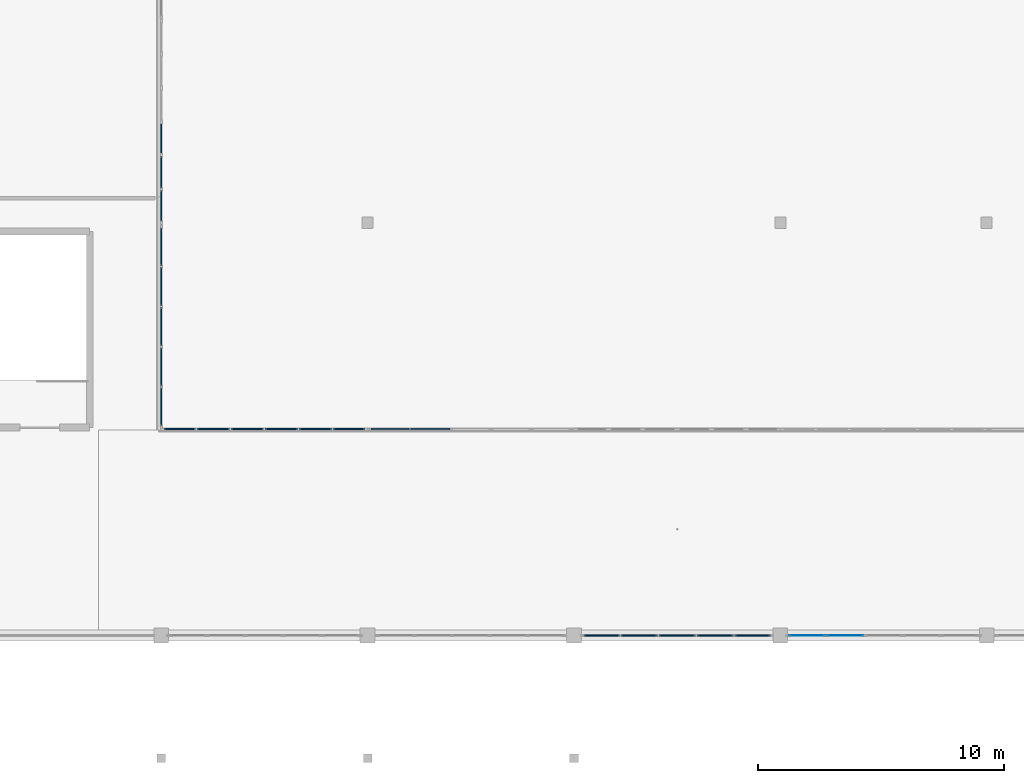
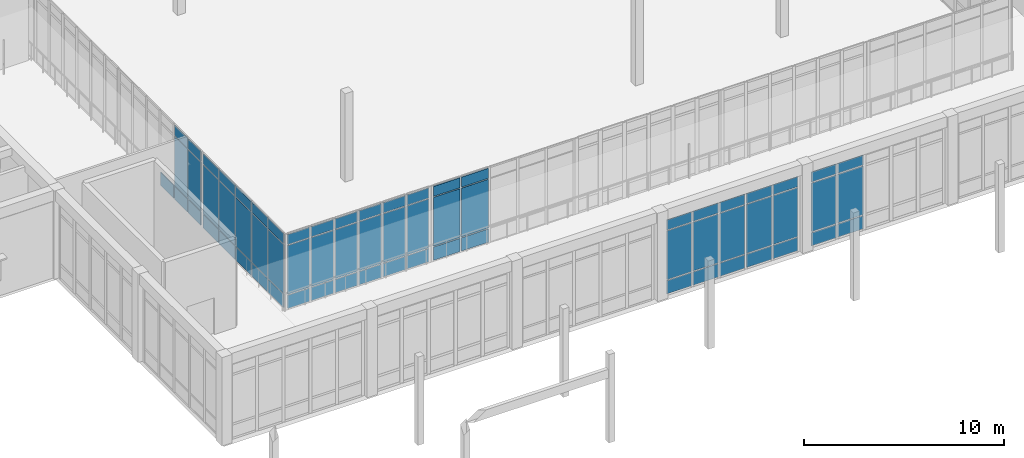
# One storey, part 58 of 157: 67 plates, 6 elements without a shape of their own.
"""IFC4 building model written with IfcOpenShell, lengths in metres."""

from ifc_helpers import new_model, si_unit, direction, frame, origin, origin_2d, place, context, subcontext, project, spatial, rectangle, extrude, material, layer, layer_set, type_object, element, aggregate, save


model = new_model("IFC4")

# Units and contexts
model_context = context("Model", 3, precision=1e-05, world=origin(), true_north=direction((0.0, 1.0)))
body_context = subcontext(model_context, "Body", "Model", "MODEL_VIEW")
ifc_project = project(units=[si_unit("LENGTHUNIT", "METRE"), si_unit("AREAUNIT", "SQUARE_METRE"), si_unit("VOLUMEUNIT", "CUBIC_METRE"), si_unit("PLANEANGLEUNIT", "RADIAN"), si_unit("MASSUNIT", "GRAM", prefix="KILO")], contexts=[model_context])

# Site, building, storey
site_placement = place(None, origin())
site = spatial("IfcSite", under=ifc_project, at=site_placement, CompositionType="ELEMENT")
building_placement = place(site_placement, origin())
building = spatial("IfcBuilding", under=site, at=building_placement, Name="Varncliffe General Hospital", CompositionType="ELEMENT")
storey_placement = place(building_placement, frame((0.0, 0.0, 5.39990234375)))
storey = spatial("IfcBuildingStorey", under=building, at=storey_placement, Name="L01", CompositionType="ELEMENT", Elevation=5.39990234375)

# Curtain wall, plates
ifc_material_1 = material(Name="Triple low-E argon insulated vision glazing", Category="glass")
curtain_wall_type_1 = type_object("IfcCurtainWallType", Name="Unitised Glazed Curtain Wall CW70 (7724x4640)", PredefinedType="USERDEFINED", material=ifc_material_1)
curtain_wall_1_placement = place(storey_placement, origin())
curtain_wall_1 = element("IfcCurtainWall", 1, at=curtain_wall_1_placement, inside=storey, type_object=curtain_wall_type_1, Name="L01 Glazed Curtain Wall CW70-49", ObjectType="GLAZED CURTAIN WALL", PredefinedType="USERDEFINED")
ifc_layer_1 = layer(ifc_material_1, 0.0439453125)
ifc_layer_set_1 = layer_set([ifc_layer_1], Name="Triple low-E argon insulated vision glazing")
plate_type_1 = type_object("IfcPlateType", Name="Curtain Wall Glazing Panel CP12 (44mm)", PredefinedType="CURTAIN_PANEL", material=ifc_layer_set_1)
plate_1_placement = place(storey_placement, frame((91.270751953125, 7.199951171875, 0.06005859375), z_axis=(0.0, 0.0, 1.0), x_axis=(-1.0, 0.0, 0.0)))
plate_1 = element("IfcPlate", 2, at=plate_1_placement, type_object=plate_type_1, Name="CW70 panel 1.1", PredefinedType="CURTAIN_PANEL", context=body_context, shape_type="SweptSolid", body=[
    extrude(rectangle(XDim=1.432373046875, YDim=0.0439453125, at=origin_2d()), origin(), (0.0, 0.0, 1.0), 0.81005859375),
])
plate_2_placement = place(storey_placement, frame((91.270751953125, 7.199951171875, 0.93017578125), z_axis=(0.0, 0.0, 1.0), x_axis=(-1.0, 0.0, 0.0)))
plate_2 = element("IfcPlate", 3, at=plate_2_placement, type_object=plate_type_1, Name="CW70 panel 1.2", PredefinedType="CURTAIN_PANEL", context=body_context, shape_type="SweptSolid", body=[
    extrude(rectangle(XDim=1.432373046875, YDim=0.0439453125, at=origin_2d()), origin(), (0.0, 0.0, 1.0), 2.97998046875),
])
plate_3_placement = place(storey_placement, frame((91.270751953125, 7.199951171875, 3.97021484375), z_axis=(0.0, 0.0, 1.0), x_axis=(-1.0, 0.0, 0.0)))
plate_3 = element("IfcPlate", 4, at=plate_3_placement, type_object=plate_type_1, Name="CW70 panel 1.3", PredefinedType="CURTAIN_PANEL", context=body_context, shape_type="SweptSolid", body=[
    extrude(rectangle(XDim=1.432373046875, YDim=0.0439453125, at=origin_2d()), origin(), (0.0, 0.0, 1.0), 0.610107421875),
])
plate_4_placement = place(storey_placement, frame((89.744873046875, 7.199951171875, 0.06005859375), z_axis=(0.0, 0.0, 1.0), x_axis=(-1.0, 0.0, 0.0)))
plate_4 = element("IfcPlate", 5, at=plate_4_placement, type_object=plate_type_1, Name="CW70 panel 2.1", PredefinedType="CURTAIN_PANEL", context=body_context, shape_type="SweptSolid", body=[
    extrude(rectangle(XDim=1.4697265625, YDim=0.0439453125, at=origin_2d()), origin(), (0.0, 0.0, 1.0), 0.81005859375),
])
plate_5_placement = place(storey_placement, frame((89.744873046875, 7.199951171875, 0.93017578125), z_axis=(0.0, 0.0, 1.0), x_axis=(-1.0, 0.0, 0.0)))
plate_5 = element("IfcPlate", 6, at=plate_5_placement, type_object=plate_type_1, Name="CW70 panel 2.2", PredefinedType="CURTAIN_PANEL", context=body_context, shape_type="SweptSolid", body=[
    extrude(rectangle(XDim=1.4697265625, YDim=0.0439453125, at=origin_2d()), origin(), (0.0, 0.0, 1.0), 2.97998046875),
])
plate_6_placement = place(storey_placement, frame((89.744873046875, 7.199951171875, 3.97021484375), z_axis=(0.0, 0.0, 1.0), x_axis=(-1.0, 0.0, 0.0)))
plate_6 = element("IfcPlate", 7, at=plate_6_placement, type_object=plate_type_1, Name="CW70 panel 2.3", PredefinedType="CURTAIN_PANEL", context=body_context, shape_type="SweptSolid", body=[
    extrude(rectangle(XDim=1.4697265625, YDim=0.0439453125, at=origin_2d()), origin(), (0.0, 0.0, 1.0), 0.610107421875),
])
plate_7_placement = place(storey_placement, frame((88.199951171875, 7.199951171875, 0.06005859375), z_axis=(0.0, 0.0, 1.0), x_axis=(-1.0, 0.0, 0.0)))
plate_7 = element("IfcPlate", 8, at=plate_7_placement, type_object=plate_type_1, Name="CW70 panel 3.1", PredefinedType="CURTAIN_PANEL", context=body_context, shape_type="SweptSolid", body=[
    extrude(rectangle(XDim=1.4697265625, YDim=0.0439453125, at=origin_2d()), origin(), (0.0, 0.0, 1.0), 0.81005859375),
])
plate_8_placement = place(storey_placement, frame((88.199951171875, 7.199951171875, 0.93017578125), z_axis=(0.0, 0.0, 1.0), x_axis=(-1.0, 0.0, 0.0)))
plate_8 = element("IfcPlate", 9, at=plate_8_placement, type_object=plate_type_1, Name="CW70 panel 3.2", PredefinedType="CURTAIN_PANEL", context=body_context, shape_type="SweptSolid", body=[
    extrude(rectangle(XDim=1.4697265625, YDim=0.0439453125, at=origin_2d()), origin(), (0.0, 0.0, 1.0), 2.97998046875),
])
plate_9_placement = place(storey_placement, frame((88.199951171875, 7.199951171875, 3.97021484375), z_axis=(0.0, 0.0, 1.0), x_axis=(-1.0, 0.0, 0.0)))
plate_9 = element("IfcPlate", 10, at=plate_9_placement, type_object=plate_type_1, Name="CW70 panel 3.3", PredefinedType="CURTAIN_PANEL", context=body_context, shape_type="SweptSolid", body=[
    extrude(rectangle(XDim=1.4697265625, YDim=0.0439453125, at=origin_2d()), origin(), (0.0, 0.0, 1.0), 0.610107421875),
])
plate_10_placement = place(storey_placement, frame((86.6552734375, 7.199951171875, 0.06005859375), z_axis=(0.0, 0.0, 1.0), x_axis=(-1.0, 0.0, 0.0)))
plate_10 = element("IfcPlate", 11, at=plate_10_placement, type_object=plate_type_1, Name="CW70 panel 4.1", PredefinedType="CURTAIN_PANEL", context=body_context, shape_type="SweptSolid", body=[
    extrude(rectangle(XDim=1.4697265625, YDim=0.0439453125, at=origin_2d()), origin(), (0.0, 0.0, 1.0), 0.81005859375),
])
plate_11_placement = place(storey_placement, frame((86.6552734375, 7.199951171875, 0.93017578125), z_axis=(0.0, 0.0, 1.0), x_axis=(-1.0, 0.0, 0.0)))
plate_11 = element("IfcPlate", 12, at=plate_11_placement, type_object=plate_type_1, Name="CW70 panel 4.2", PredefinedType="CURTAIN_PANEL", context=body_context, shape_type="SweptSolid", body=[
    extrude(rectangle(XDim=1.4697265625, YDim=0.0439453125, at=origin_2d()), origin(), (0.0, 0.0, 1.0), 2.97998046875),
])
plate_12_placement = place(storey_placement, frame((86.6552734375, 7.199951171875, 3.97021484375), z_axis=(0.0, 0.0, 1.0), x_axis=(-1.0, 0.0, 0.0)))
plate_12 = element("IfcPlate", 13, at=plate_12_placement, type_object=plate_type_1, Name="CW70 panel 4.3", PredefinedType="CURTAIN_PANEL", context=body_context, shape_type="SweptSolid", body=[
    extrude(rectangle(XDim=1.4697265625, YDim=0.0439453125, at=origin_2d()), origin(), (0.0, 0.0, 1.0), 0.610107421875),
])
plate_13_placement = place(storey_placement, frame((85.129150390625, 7.199951171875, 0.06005859375), z_axis=(0.0, 0.0, 1.0), x_axis=(-1.0, 0.0, 0.0)))
plate_13 = element("IfcPlate", 14, at=plate_13_placement, type_object=plate_type_1, Name="CW70 panel 5.1", PredefinedType="CURTAIN_PANEL", context=body_context, shape_type="SweptSolid", body=[
    extrude(rectangle(XDim=1.432373046875, YDim=0.0439453125, at=origin_2d()), origin(), (0.0, 0.0, 1.0), 0.81005859375),
])
plate_14_placement = place(storey_placement, frame((85.129150390625, 7.199951171875, 0.93017578125), z_axis=(0.0, 0.0, 1.0), x_axis=(-1.0, 0.0, 0.0)))
plate_14 = element("IfcPlate", 15, at=plate_14_placement, type_object=plate_type_1, Name="CW70 panel 5.2", PredefinedType="CURTAIN_PANEL", context=body_context, shape_type="SweptSolid", body=[
    extrude(rectangle(XDim=1.432373046875, YDim=0.0439453125, at=origin_2d()), origin(), (0.0, 0.0, 1.0), 2.97998046875),
])
plate_15_placement = place(storey_placement, frame((85.129150390625, 7.199951171875, 3.97021484375), z_axis=(0.0, 0.0, 1.0), x_axis=(-1.0, 0.0, 0.0)))
plate_15 = element("IfcPlate", 16, at=plate_15_placement, type_object=plate_type_1, Name="CW70 panel 5.3", PredefinedType="CURTAIN_PANEL", context=body_context, shape_type="SweptSolid", body=[
    extrude(rectangle(XDim=1.432373046875, YDim=0.0439453125, at=origin_2d()), origin(), (0.0, 0.0, 1.0), 0.610107421875),
])
aggregate(curtain_wall_1, [plate_1, plate_2, plate_3, plate_4, plate_5, plate_6, plate_7, plate_8, plate_9, plate_10, plate_11, plate_12, plate_13, plate_14, plate_15])

curtain_wall_type_2 = type_object("IfcCurtainWallType", Name="Unitised Glazed Curtain Wall CW14 (8260x4640)", PredefinedType="USERDEFINED", material=ifc_material_1)
curtain_wall_2_placement = place(storey_placement, origin())
curtain_wall_2 = element("IfcCurtainWall", 17, at=curtain_wall_2_placement, inside=storey, type_object=curtain_wall_type_2, Name="L01 Glazed Curtain Wall CW14-109", ObjectType="GLAZED CURTAIN WALL", PredefinedType="USERDEFINED")
plate_16_placement = place(storey_placement, frame((67.199951171875, 27.422119140625, 0.06005859375), z_axis=(0.0, 0.0, 1.0), x_axis=(0.0, -1.0, 0.0)))
plate_16 = element("IfcPlate", 18, at=plate_16_placement, type_object=plate_type_1, Name="CW14 panel 4.1", PredefinedType="CURTAIN_PANEL", context=body_context, shape_type="SweptSolid", body=[
    extrude(rectangle(XDim=1.3017578125, YDim=0.0439453125, at=origin_2d()), origin(), (0.0, 0.0, 1.0), 0.81005859375),
])
plate_17_placement = place(storey_placement, frame((67.199951171875, 26.04541015625, 0.06005859375), z_axis=(0.0, 0.0, 1.0), x_axis=(0.0, -1.0, 0.0)))
plate_17 = element("IfcPlate", 19, at=plate_17_placement, type_object=plate_type_1, Name="CW14 panel 5.1", PredefinedType="CURTAIN_PANEL", context=body_context, shape_type="SweptSolid", body=[
    extrude(rectangle(XDim=1.3017578125, YDim=0.0439453125, at=origin_2d()), origin(), (0.0, 0.0, 1.0), 0.81005859375),
])
plate_18_placement = place(storey_placement, frame((67.199951171875, 26.04541015625, 0.93017578125), z_axis=(0.0, 0.0, 1.0), x_axis=(0.0, -1.0, 0.0)))
plate_18 = element("IfcPlate", 20, at=plate_18_placement, type_object=plate_type_1, Name="CW14 panel 5.2", PredefinedType="CURTAIN_PANEL", context=body_context, shape_type="SweptSolid", body=[
    extrude(rectangle(XDim=1.3017578125, YDim=0.0439453125, at=origin_2d()), origin(), (0.0, 0.0, 1.0), 2.97998046875),
])
plate_19_placement = place(storey_placement, frame((67.199951171875, 26.04541015625, 3.97021484375), z_axis=(0.0, 0.0, 1.0), x_axis=(0.0, -1.0, 0.0)))
plate_19 = element("IfcPlate", 21, at=plate_19_placement, type_object=plate_type_1, Name="CW14 panel 5.3", PredefinedType="CURTAIN_PANEL", context=body_context, shape_type="SweptSolid", body=[
    extrude(rectangle(XDim=1.3017578125, YDim=0.0439453125, at=origin_2d()), origin(), (0.0, 0.0, 1.0), 0.610107421875),
])
plate_20_placement = place(storey_placement, frame((67.199951171875, 24.6875, 0.06005859375), z_axis=(0.0, 0.0, 1.0), x_axis=(0.0, -1.0, 0.0)))
plate_20 = element("IfcPlate", 22, at=plate_20_placement, type_object=plate_type_1, Name="CW14 panel 6.1", PredefinedType="CURTAIN_PANEL", context=body_context, shape_type="SweptSolid", body=[
    extrude(rectangle(XDim=1.26416015625, YDim=0.0439453125, at=origin_2d()), origin(), (0.0, 0.0, 1.0), 0.81005859375),
])
plate_21_placement = place(storey_placement, frame((67.199951171875, 24.6875, 0.93017578125), z_axis=(0.0, 0.0, 1.0), x_axis=(0.0, -1.0, 0.0)))
plate_21 = element("IfcPlate", 23, at=plate_21_placement, type_object=plate_type_1, Name="CW14 panel 6.2", PredefinedType="CURTAIN_PANEL", context=body_context, shape_type="SweptSolid", body=[
    extrude(rectangle(XDim=1.26416015625, YDim=0.0439453125, at=origin_2d()), origin(), (0.0, 0.0, 1.0), 2.97998046875),
])
plate_22_placement = place(storey_placement, frame((67.199951171875, 24.6875, 3.97021484375), z_axis=(0.0, 0.0, 1.0), x_axis=(0.0, -1.0, 0.0)))
plate_22 = element("IfcPlate", 24, at=plate_22_placement, type_object=plate_type_1, Name="CW14 panel 6.3", PredefinedType="CURTAIN_PANEL", context=body_context, shape_type="SweptSolid", body=[
    extrude(rectangle(XDim=1.26416015625, YDim=0.0439453125, at=origin_2d()), origin(), (0.0, 0.0, 1.0), 0.610107421875),
])
aggregate(curtain_wall_2, [plate_16, plate_17, plate_18, plate_19, plate_20, plate_21, plate_22])

curtain_wall_type_3 = type_object("IfcCurtainWallType", Name="Unitised Glazed Curtain Wall CW85 (7804x4640)", PredefinedType="USERDEFINED", material=ifc_material_1)
curtain_wall_3_placement = place(storey_placement, origin())
curtain_wall_3 = element("IfcCurtainWall", 25, at=curtain_wall_3_placement, inside=storey, type_object=curtain_wall_type_3, Name="L01 Glazed Curtain Wall CW85-48", ObjectType="GLAZED CURTAIN WALL", PredefinedType="USERDEFINED")
ifc_layer_2 = layer(ifc_material_1, 0.035888671875)
ifc_layer_set_2 = layer_set([ifc_layer_2], Name="Triple low-E argon insulated vision glazing")
plate_type_2 = type_object("IfcPlateType", Name="Curtain Wall Glazing Panel CP27 (36mm)", PredefinedType="CURTAIN_PANEL", material=ifc_layer_set_2)
plate_23_placement = place(storey_placement, frame((95.039306640625, 7.199951171875, 0.06494140625), z_axis=(0.0, 0.0, 1.0), x_axis=(-1.0, 0.0, 0.0)))
plate_23 = element("IfcPlate", 26, at=plate_23_placement, type_object=plate_type_2, Name="CW85 panel 4.1", PredefinedType="CURTAIN_PANEL", context=body_context, shape_type="SweptSolid", body=[
    extrude(rectangle(XDim=1.48583984375, YDim=0.035888671875, at=origin_2d()), origin(), (0.0, 0.0, 1.0), 0.802490234375),
])
plate_24_placement = place(storey_placement, frame((95.039306640625, 7.199951171875, 0.9326171875), z_axis=(0.0, 0.0, 1.0), x_axis=(-1.0, 0.0, 0.0)))
plate_24 = element("IfcPlate", 27, at=plate_24_placement, type_object=plate_type_2, Name="CW85 panel 4.2", PredefinedType="CURTAIN_PANEL", context=body_context, shape_type="SweptSolid", body=[
    extrude(rectangle(XDim=1.48583984375, YDim=0.035888671875, at=origin_2d()), origin(), (0.0, 0.0, 1.0), 2.97509765625),
])
plate_25_placement = place(storey_placement, frame((95.039306640625, 7.199951171875, 3.97265625), z_axis=(0.0, 0.0, 1.0), x_axis=(-1.0, 0.0, 0.0)))
plate_25 = element("IfcPlate", 28, at=plate_25_placement, type_object=plate_type_2, Name="CW85 panel 4.3", PredefinedType="CURTAIN_PANEL", context=body_context, shape_type="SweptSolid", body=[
    extrude(rectangle(XDim=1.48583984375, YDim=0.035888671875, at=origin_2d()), origin(), (0.0, 0.0, 1.0), 0.6025390625),
])
plate_26_placement = place(storey_placement, frame((93.4970703125, 7.199951171875, 0.06494140625), z_axis=(0.0, 0.0, 1.0), x_axis=(-1.0, 0.0, 0.0)))
plate_26 = element("IfcPlate", 29, at=plate_26_placement, type_object=plate_type_2, Name="CW85 panel 5.1", PredefinedType="CURTAIN_PANEL", context=body_context, shape_type="SweptSolid", body=[
    extrude(rectangle(XDim=1.4482421875, YDim=0.035888671875, at=origin_2d()), origin(), (0.0, 0.0, 1.0), 0.802490234375),
])
plate_27_placement = place(storey_placement, frame((93.4970703125, 7.199951171875, 0.9326171875), z_axis=(0.0, 0.0, 1.0), x_axis=(-1.0, 0.0, 0.0)))
plate_27 = element("IfcPlate", 30, at=plate_27_placement, type_object=plate_type_2, Name="CW85 panel 5.2", PredefinedType="CURTAIN_PANEL", context=body_context, shape_type="SweptSolid", body=[
    extrude(rectangle(XDim=1.4482421875, YDim=0.035888671875, at=origin_2d()), origin(), (0.0, 0.0, 1.0), 2.97509765625),
])
plate_28_placement = place(storey_placement, frame((93.4970703125, 7.199951171875, 3.97265625), z_axis=(0.0, 0.0, 1.0), x_axis=(-1.0, 0.0, 0.0)))
plate_28 = element("IfcPlate", 31, at=plate_28_placement, type_object=plate_type_2, Name="CW85 panel 5.3", PredefinedType="CURTAIN_PANEL", context=body_context, shape_type="SweptSolid", body=[
    extrude(rectangle(XDim=1.4482421875, YDim=0.035888671875, at=origin_2d()), origin(), (0.0, 0.0, 1.0), 0.6025390625),
])
aggregate(curtain_wall_3, [plate_23, plate_24, plate_25, plate_26, plate_27, plate_28])

curtain_wall_type_4 = type_object("IfcCurtainWallType", Name="Unitised Glazed Curtain Wall CW56 (8240x4640)", PredefinedType="USERDEFINED", material=ifc_material_1)
curtain_wall_4_placement = place(storey_placement, origin())
curtain_wall_4 = element("IfcCurtainWall", 32, at=curtain_wall_4_placement, inside=storey, type_object=curtain_wall_type_4, Name="L01 Glazed Curtain Wall CW56-92", ObjectType="GLAZED CURTAIN WALL", PredefinedType="USERDEFINED")
ifc_material_2 = material(Name="Insulated ceramic-fritted spandrel glazing panel", Category="glass")
ifc_layer_3 = layer(ifc_material_2, 0.06396484375)
ifc_layer_set_3 = layer_set([ifc_layer_3], Name="Insulated ceramic-fritted spandrel glazing panel")
plate_type_3 = type_object("IfcPlateType", Name="Curtain Wall Glazing Panel CP41 (64mm)", PredefinedType="CURTAIN_PANEL", material=ifc_layer_set_3)
plate_29_placement = place(storey_placement, frame((76.520263671875, 15.60009765625, 0.06005859375), z_axis=(0.0, 0.0, 1.0), x_axis=(1.0, 0.0, 0.0)))
plate_29 = element("IfcPlate", 33, at=plate_29_placement, type_object=plate_type_3, Name="CW56 panel 1.1", PredefinedType="CURTAIN_PANEL", context=body_context, shape_type="SweptSolid", body=[
    extrude(rectangle(XDim=1.550537109375, YDim=0.06396484375, at=origin_2d()), origin(), (0.0, 0.0, 1.0), 0.81005859375),
])
plate_30_placement = place(storey_placement, frame((76.520263671875, 15.60009765625, 0.93017578125), z_axis=(0.0, 0.0, 1.0), x_axis=(1.0, 0.0, 0.0)))
plate_30 = element("IfcPlate", 34, at=plate_30_placement, type_object=plate_type_3, Name="CW56 panel 1.2", PredefinedType="CURTAIN_PANEL", context=body_context, shape_type="SweptSolid", body=[
    extrude(rectangle(XDim=1.550537109375, YDim=0.06396484375, at=origin_2d()), origin(), (0.0, 0.0, 1.0), 2.97998046875),
])
plate_31_placement = place(storey_placement, frame((76.520263671875, 15.60009765625, 3.97021484375), z_axis=(0.0, 0.0, 1.0), x_axis=(1.0, 0.0, 0.0)))
plate_31 = element("IfcPlate", 35, at=plate_31_placement, type_object=plate_type_3, Name="CW56 panel 1.3", PredefinedType="CURTAIN_PANEL", context=body_context, shape_type="SweptSolid", body=[
    extrude(rectangle(XDim=1.550537109375, YDim=0.06396484375, at=origin_2d()), origin(), (0.0, 0.0, 1.0), 0.610107421875),
])
plate_32_placement = place(storey_placement, frame((78.152099609375, 15.60009765625, 0.06005859375), z_axis=(0.0, 0.0, 1.0), x_axis=(1.0, 0.0, 0.0)))
plate_32 = element("IfcPlate", 36, at=plate_32_placement, type_object=plate_type_3, Name="CW56 panel 2.1", PredefinedType="CURTAIN_PANEL", context=body_context, shape_type="SweptSolid", body=[
    extrude(rectangle(XDim=1.5830078125, YDim=0.06396484375, at=origin_2d()), origin(), (0.0, 0.0, 1.0), 0.81005859375),
])
plate_33_placement = place(storey_placement, frame((78.152099609375, 15.60009765625, 0.93017578125), z_axis=(0.0, 0.0, 1.0), x_axis=(1.0, 0.0, 0.0)))
plate_33 = element("IfcPlate", 37, at=plate_33_placement, type_object=plate_type_3, Name="CW56 panel 2.2", PredefinedType="CURTAIN_PANEL", context=body_context, shape_type="SweptSolid", body=[
    extrude(rectangle(XDim=1.5830078125, YDim=0.06396484375, at=origin_2d()), origin(), (0.0, 0.0, 1.0), 2.97998046875),
])
plate_34_placement = place(storey_placement, frame((78.152099609375, 15.60009765625, 3.97021484375), z_axis=(0.0, 0.0, 1.0), x_axis=(1.0, 0.0, 0.0)))
plate_34 = element("IfcPlate", 38, at=plate_34_placement, type_object=plate_type_3, Name="CW56 panel 2.3", PredefinedType="CURTAIN_PANEL", context=body_context, shape_type="SweptSolid", body=[
    extrude(rectangle(XDim=1.5830078125, YDim=0.06396484375, at=origin_2d()), origin(), (0.0, 0.0, 1.0), 0.610107421875),
])
aggregate(curtain_wall_4, [plate_29, plate_30, plate_31, plate_32, plate_33, plate_34])

curtain_wall_type_5 = type_object("IfcCurtainWallType", Name="Unitised Glazed Curtain Wall CW74 (8320x4640)", PredefinedType="USERDEFINED", material=ifc_material_1)
curtain_wall_5_placement = place(storey_placement, origin())
curtain_wall_5 = element("IfcCurtainWall", 39, at=curtain_wall_5_placement, inside=storey, type_object=curtain_wall_type_5, Name="L01 Glazed Curtain Wall CW74-91", ObjectType="GLAZED CURTAIN WALL", PredefinedType="USERDEFINED")
ifc_layer_4 = layer(ifc_material_2, 0.052001953125)
ifc_layer_set_4 = layer_set([ifc_layer_4], Name="Insulated ceramic-fritted spandrel glazing panel")
plate_type_4 = type_object("IfcPlateType", Name="Curtain Wall Glazing Panel CP46 (52mm)", PredefinedType="CURTAIN_PANEL", material=ifc_layer_set_4)
plate_35_placement = place(storey_placement, frame((67.9521484375, 15.60009765625, 0.06005859375), z_axis=(0.0, 0.0, 1.0), x_axis=(1.0, 0.0, 0.0)))
plate_35 = element("IfcPlate", 40, at=plate_35_placement, type_object=plate_type_4, Name="CW74 panel 1.1", PredefinedType="CURTAIN_PANEL", context=body_context, shape_type="SweptSolid", body=[
    extrude(rectangle(XDim=1.274169921875, YDim=0.052001953125, at=origin_2d()), origin(), (0.0, 0.0, 1.0), 0.81005859375),
])
plate_36_placement = place(storey_placement, frame((67.9521484375, 15.60009765625, 0.93017578125), z_axis=(0.0, 0.0, 1.0), x_axis=(1.0, 0.0, 0.0)))
plate_36 = element("IfcPlate", 41, at=plate_36_placement, type_object=plate_type_4, Name="CW74 panel 1.2", PredefinedType="CURTAIN_PANEL", context=body_context, shape_type="SweptSolid", body=[
    extrude(rectangle(XDim=1.274169921875, YDim=0.052001953125, at=origin_2d()), origin(), (0.0, 0.0, 1.0), 2.97998046875),
])
plate_37_placement = place(storey_placement, frame((67.9521484375, 15.60009765625, 3.97021484375), z_axis=(0.0, 0.0, 1.0), x_axis=(1.0, 0.0, 0.0)))
plate_37 = element("IfcPlate", 42, at=plate_37_placement, type_object=plate_type_4, Name="CW74 panel 1.3", PredefinedType="CURTAIN_PANEL", context=body_context, shape_type="SweptSolid", body=[
    extrude(rectangle(XDim=1.274169921875, YDim=0.052001953125, at=origin_2d()), origin(), (0.0, 0.0, 1.0), 0.610107421875),
])
plate_38_placement = place(storey_placement, frame((69.320068359375, 15.60009765625, 0.06005859375), z_axis=(0.0, 0.0, 1.0), x_axis=(1.0, 0.0, 0.0)))
plate_38 = element("IfcPlate", 43, at=plate_38_placement, type_object=plate_type_4, Name="CW74 panel 2.1", PredefinedType="CURTAIN_PANEL", context=body_context, shape_type="SweptSolid", body=[
    extrude(rectangle(XDim=1.311767578125, YDim=0.052001953125, at=origin_2d()), origin(), (0.0, 0.0, 1.0), 0.81005859375),
])
plate_39_placement = place(storey_placement, frame((69.320068359375, 15.60009765625, 0.93017578125), z_axis=(0.0, 0.0, 1.0), x_axis=(1.0, 0.0, 0.0)))
plate_39 = element("IfcPlate", 44, at=plate_39_placement, type_object=plate_type_4, Name="CW74 panel 2.2", PredefinedType="CURTAIN_PANEL", context=body_context, shape_type="SweptSolid", body=[
    extrude(rectangle(XDim=1.311767578125, YDim=0.052001953125, at=origin_2d()), origin(), (0.0, 0.0, 1.0), 2.97998046875),
])
plate_40_placement = place(storey_placement, frame((69.320068359375, 15.60009765625, 3.97021484375), z_axis=(0.0, 0.0, 1.0), x_axis=(1.0, 0.0, 0.0)))
plate_40 = element("IfcPlate", 45, at=plate_40_placement, type_object=plate_type_4, Name="CW74 panel 2.3", PredefinedType="CURTAIN_PANEL", context=body_context, shape_type="SweptSolid", body=[
    extrude(rectangle(XDim=1.311767578125, YDim=0.052001953125, at=origin_2d()), origin(), (0.0, 0.0, 1.0), 0.610107421875),
])
plate_41_placement = place(storey_placement, frame((70.706787109375, 15.60009765625, 0.06005859375), z_axis=(0.0, 0.0, 1.0), x_axis=(1.0, 0.0, 0.0)))
plate_41 = element("IfcPlate", 46, at=plate_41_placement, type_object=plate_type_4, Name="CW74 panel 3.1", PredefinedType="CURTAIN_PANEL", context=body_context, shape_type="SweptSolid", body=[
    extrude(rectangle(XDim=1.311767578125, YDim=0.052001953125, at=origin_2d()), origin(), (0.0, 0.0, 1.0), 0.81005859375),
])
plate_42_placement = place(storey_placement, frame((70.706787109375, 15.60009765625, 0.93017578125), z_axis=(0.0, 0.0, 1.0), x_axis=(1.0, 0.0, 0.0)))
plate_42 = element("IfcPlate", 47, at=plate_42_placement, type_object=plate_type_4, Name="CW74 panel 3.2", PredefinedType="CURTAIN_PANEL", context=body_context, shape_type="SweptSolid", body=[
    extrude(rectangle(XDim=1.311767578125, YDim=0.052001953125, at=origin_2d()), origin(), (0.0, 0.0, 1.0), 2.97998046875),
])
plate_43_placement = place(storey_placement, frame((70.706787109375, 15.60009765625, 3.97021484375), z_axis=(0.0, 0.0, 1.0), x_axis=(1.0, 0.0, 0.0)))
plate_43 = element("IfcPlate", 48, at=plate_43_placement, type_object=plate_type_4, Name="CW74 panel 3.3", PredefinedType="CURTAIN_PANEL", context=body_context, shape_type="SweptSolid", body=[
    extrude(rectangle(XDim=1.311767578125, YDim=0.052001953125, at=origin_2d()), origin(), (0.0, 0.0, 1.0), 0.610107421875),
])
plate_44_placement = place(storey_placement, frame((72.09326171875, 15.60009765625, 0.06005859375), z_axis=(0.0, 0.0, 1.0), x_axis=(1.0, 0.0, 0.0)))
plate_44 = element("IfcPlate", 49, at=plate_44_placement, type_object=plate_type_4, Name="CW74 panel 4.1", PredefinedType="CURTAIN_PANEL", context=body_context, shape_type="SweptSolid", body=[
    extrude(rectangle(XDim=1.311767578125, YDim=0.052001953125, at=origin_2d()), origin(), (0.0, 0.0, 1.0), 0.81005859375),
])
plate_45_placement = place(storey_placement, frame((72.09326171875, 15.60009765625, 0.93017578125), z_axis=(0.0, 0.0, 1.0), x_axis=(1.0, 0.0, 0.0)))
plate_45 = element("IfcPlate", 50, at=plate_45_placement, type_object=plate_type_4, Name="CW74 panel 4.2", PredefinedType="CURTAIN_PANEL", context=body_context, shape_type="SweptSolid", body=[
    extrude(rectangle(XDim=1.311767578125, YDim=0.052001953125, at=origin_2d()), origin(), (0.0, 0.0, 1.0), 2.97998046875),
])
plate_46_placement = place(storey_placement, frame((72.09326171875, 15.60009765625, 3.97021484375), z_axis=(0.0, 0.0, 1.0), x_axis=(1.0, 0.0, 0.0)))
plate_46 = element("IfcPlate", 51, at=plate_46_placement, type_object=plate_type_4, Name="CW74 panel 4.3", PredefinedType="CURTAIN_PANEL", context=body_context, shape_type="SweptSolid", body=[
    extrude(rectangle(XDim=1.311767578125, YDim=0.052001953125, at=origin_2d()), origin(), (0.0, 0.0, 1.0), 0.610107421875),
])
plate_47_placement = place(storey_placement, frame((73.47998046875, 15.60009765625, 0.06005859375), z_axis=(0.0, 0.0, 1.0), x_axis=(1.0, 0.0, 0.0)))
plate_47 = element("IfcPlate", 52, at=plate_47_placement, type_object=plate_type_4, Name="CW74 panel 5.1", PredefinedType="CURTAIN_PANEL", context=body_context, shape_type="SweptSolid", body=[
    extrude(rectangle(XDim=1.311767578125, YDim=0.052001953125, at=origin_2d()), origin(), (0.0, 0.0, 1.0), 0.81005859375),
])
plate_48_placement = place(storey_placement, frame((73.47998046875, 15.60009765625, 0.93017578125), z_axis=(0.0, 0.0, 1.0), x_axis=(1.0, 0.0, 0.0)))
plate_48 = element("IfcPlate", 53, at=plate_48_placement, type_object=plate_type_4, Name="CW74 panel 5.2", PredefinedType="CURTAIN_PANEL", context=body_context, shape_type="SweptSolid", body=[
    extrude(rectangle(XDim=1.311767578125, YDim=0.052001953125, at=origin_2d()), origin(), (0.0, 0.0, 1.0), 2.97998046875),
])
plate_49_placement = place(storey_placement, frame((73.47998046875, 15.60009765625, 3.97021484375), z_axis=(0.0, 0.0, 1.0), x_axis=(1.0, 0.0, 0.0)))
plate_49 = element("IfcPlate", 54, at=plate_49_placement, type_object=plate_type_4, Name="CW74 panel 5.3", PredefinedType="CURTAIN_PANEL", context=body_context, shape_type="SweptSolid", body=[
    extrude(rectangle(XDim=1.311767578125, YDim=0.052001953125, at=origin_2d()), origin(), (0.0, 0.0, 1.0), 0.610107421875),
])
plate_50_placement = place(storey_placement, frame((74.847900390625, 15.60009765625, 0.06005859375), z_axis=(0.0, 0.0, 1.0), x_axis=(1.0, 0.0, 0.0)))
plate_50 = element("IfcPlate", 55, at=plate_50_placement, type_object=plate_type_4, Name="CW74 panel 6.1", PredefinedType="CURTAIN_PANEL", context=body_context, shape_type="SweptSolid", body=[
    extrude(rectangle(XDim=1.274169921875, YDim=0.052001953125, at=origin_2d()), origin(), (0.0, 0.0, 1.0), 0.81005859375),
])
plate_51_placement = place(storey_placement, frame((74.847900390625, 15.60009765625, 0.93017578125), z_axis=(0.0, 0.0, 1.0), x_axis=(1.0, 0.0, 0.0)))
plate_51 = element("IfcPlate", 56, at=plate_51_placement, type_object=plate_type_4, Name="CW74 panel 6.2", PredefinedType="CURTAIN_PANEL", context=body_context, shape_type="SweptSolid", body=[
    extrude(rectangle(XDim=1.274169921875, YDim=0.052001953125, at=origin_2d()), origin(), (0.0, 0.0, 1.0), 2.97998046875),
])
plate_52_placement = place(storey_placement, frame((74.847900390625, 15.60009765625, 3.97021484375), z_axis=(0.0, 0.0, 1.0), x_axis=(1.0, 0.0, 0.0)))
plate_52 = element("IfcPlate", 57, at=plate_52_placement, type_object=plate_type_4, Name="CW74 panel 6.3", PredefinedType="CURTAIN_PANEL", context=body_context, shape_type="SweptSolid", body=[
    extrude(rectangle(XDim=1.274169921875, YDim=0.052001953125, at=origin_2d()), origin(), (0.0, 0.0, 1.0), 0.610107421875),
])
aggregate(curtain_wall_5, [plate_35, plate_36, plate_37, plate_38, plate_39, plate_40, plate_41, plate_42, plate_43, plate_44, plate_45, plate_46, plate_47, plate_48, plate_49, plate_50, plate_51, plate_52])

curtain_wall_type_6 = type_object("IfcCurtainWallType", Name="Unitised Glazed Curtain Wall CW16 (8180x4640)", PredefinedType="USERDEFINED", material=ifc_material_1)
curtain_wall_6_placement = place(storey_placement, origin())
curtain_wall_6 = element("IfcCurtainWall", 58, at=curtain_wall_6_placement, inside=storey, type_object=curtain_wall_type_6, Name="L01 Glazed Curtain Wall CW16-110", ObjectType="GLAZED CURTAIN WALL", PredefinedType="USERDEFINED")
plate_53_placement = place(storey_placement, frame((67.199951171875, 23.026123046875, 0.06005859375), z_axis=(0.0, 0.0, 1.0), x_axis=(0.0, -1.0, 0.0)))
plate_53 = element("IfcPlate", 59, at=plate_53_placement, type_object=plate_type_4, Name="CW16 panel 1.1", PredefinedType="CURTAIN_PANEL", context=body_context, shape_type="SweptSolid", body=[
    extrude(rectangle(XDim=1.53857421875, YDim=0.052001953125, at=origin_2d()), origin(), (0.0, 0.0, 1.0), 0.81005859375),
])
plate_54_placement = place(storey_placement, frame((67.199951171875, 23.026123046875, 0.93017578125), z_axis=(0.0, 0.0, 1.0), x_axis=(0.0, -1.0, 0.0)))
plate_54 = element("IfcPlate", 60, at=plate_54_placement, type_object=plate_type_4, Name="CW16 panel 1.2", PredefinedType="CURTAIN_PANEL", context=body_context, shape_type="SweptSolid", body=[
    extrude(rectangle(XDim=1.53857421875, YDim=0.052001953125, at=origin_2d()), origin(), (0.0, 0.0, 1.0), 2.97998046875),
])
plate_55_placement = place(storey_placement, frame((67.199951171875, 23.026123046875, 3.97021484375), z_axis=(0.0, 0.0, 1.0), x_axis=(0.0, -1.0, 0.0)))
plate_55 = element("IfcPlate", 61, at=plate_55_placement, type_object=plate_type_4, Name="CW16 panel 1.3", PredefinedType="CURTAIN_PANEL", context=body_context, shape_type="SweptSolid", body=[
    extrude(rectangle(XDim=1.53857421875, YDim=0.052001953125, at=origin_2d()), origin(), (0.0, 0.0, 1.0), 0.610107421875),
])
plate_56_placement = place(storey_placement, frame((67.199951171875, 21.40625, 0.06005859375), z_axis=(0.0, 0.0, 1.0), x_axis=(0.0, -1.0, 0.0)))
plate_56 = element("IfcPlate", 62, at=plate_56_placement, type_object=plate_type_4, Name="CW16 panel 2.1", PredefinedType="CURTAIN_PANEL", context=body_context, shape_type="SweptSolid", body=[
    extrude(rectangle(XDim=1.571044921875, YDim=0.052001953125, at=origin_2d()), origin(), (0.0, 0.0, 1.0), 0.81005859375),
])
plate_57_placement = place(storey_placement, frame((67.199951171875, 21.40625, 0.93017578125), z_axis=(0.0, 0.0, 1.0), x_axis=(0.0, -1.0, 0.0)))
plate_57 = element("IfcPlate", 63, at=plate_57_placement, type_object=plate_type_4, Name="CW16 panel 2.2", PredefinedType="CURTAIN_PANEL", context=body_context, shape_type="SweptSolid", body=[
    extrude(rectangle(XDim=1.571044921875, YDim=0.052001953125, at=origin_2d()), origin(), (0.0, 0.0, 1.0), 2.97998046875),
])
plate_58_placement = place(storey_placement, frame((67.199951171875, 21.40625, 3.97021484375), z_axis=(0.0, 0.0, 1.0), x_axis=(0.0, -1.0, 0.0)))
plate_58 = element("IfcPlate", 64, at=plate_58_placement, type_object=plate_type_4, Name="CW16 panel 2.3", PredefinedType="CURTAIN_PANEL", context=body_context, shape_type="SweptSolid", body=[
    extrude(rectangle(XDim=1.571044921875, YDim=0.052001953125, at=origin_2d()), origin(), (0.0, 0.0, 1.0), 0.610107421875),
])
plate_59_placement = place(storey_placement, frame((67.199951171875, 19.770263671875, 0.06005859375), z_axis=(0.0, 0.0, 1.0), x_axis=(0.0, -1.0, 0.0)))
plate_59 = element("IfcPlate", 65, at=plate_59_placement, type_object=plate_type_4, Name="CW16 panel 3.1", PredefinedType="CURTAIN_PANEL", context=body_context, shape_type="SweptSolid", body=[
    extrude(rectangle(XDim=1.571044921875, YDim=0.052001953125, at=origin_2d()), origin(), (0.0, 0.0, 1.0), 0.81005859375),
])
plate_60_placement = place(storey_placement, frame((67.199951171875, 19.770263671875, 0.93017578125), z_axis=(0.0, 0.0, 1.0), x_axis=(0.0, -1.0, 0.0)))
plate_60 = element("IfcPlate", 66, at=plate_60_placement, type_object=plate_type_4, Name="CW16 panel 3.2", PredefinedType="CURTAIN_PANEL", context=body_context, shape_type="SweptSolid", body=[
    extrude(rectangle(XDim=1.571044921875, YDim=0.052001953125, at=origin_2d()), origin(), (0.0, 0.0, 1.0), 2.97998046875),
])
plate_61_placement = place(storey_placement, frame((67.199951171875, 19.770263671875, 3.97021484375), z_axis=(0.0, 0.0, 1.0), x_axis=(0.0, -1.0, 0.0)))
plate_61 = element("IfcPlate", 67, at=plate_61_placement, type_object=plate_type_4, Name="CW16 panel 3.3", PredefinedType="CURTAIN_PANEL", context=body_context, shape_type="SweptSolid", body=[
    extrude(rectangle(XDim=1.571044921875, YDim=0.052001953125, at=origin_2d()), origin(), (0.0, 0.0, 1.0), 0.610107421875),
])
plate_62_placement = place(storey_placement, frame((67.199951171875, 18.134033203125, 0.06005859375), z_axis=(0.0, 0.0, 1.0), x_axis=(0.0, -1.0, 0.0)))
plate_62 = element("IfcPlate", 68, at=plate_62_placement, type_object=plate_type_4, Name="CW16 panel 4.1", PredefinedType="CURTAIN_PANEL", context=body_context, shape_type="SweptSolid", body=[
    extrude(rectangle(XDim=1.571044921875, YDim=0.052001953125, at=origin_2d()), origin(), (0.0, 0.0, 1.0), 0.81005859375),
])
plate_63_placement = place(storey_placement, frame((67.199951171875, 18.134033203125, 0.93017578125), z_axis=(0.0, 0.0, 1.0), x_axis=(0.0, -1.0, 0.0)))
plate_63 = element("IfcPlate", 69, at=plate_63_placement, type_object=plate_type_4, Name="CW16 panel 4.2", PredefinedType="CURTAIN_PANEL", context=body_context, shape_type="SweptSolid", body=[
    extrude(rectangle(XDim=1.571044921875, YDim=0.052001953125, at=origin_2d()), origin(), (0.0, 0.0, 1.0), 2.97998046875),
])
plate_64_placement = place(storey_placement, frame((67.199951171875, 18.134033203125, 3.97021484375), z_axis=(0.0, 0.0, 1.0), x_axis=(0.0, -1.0, 0.0)))
plate_64 = element("IfcPlate", 70, at=plate_64_placement, type_object=plate_type_4, Name="CW16 panel 4.3", PredefinedType="CURTAIN_PANEL", context=body_context, shape_type="SweptSolid", body=[
    extrude(rectangle(XDim=1.571044921875, YDim=0.052001953125, at=origin_2d()), origin(), (0.0, 0.0, 1.0), 0.610107421875),
])
plate_65_placement = place(storey_placement, frame((67.199951171875, 16.514404296875, 0.06005859375), z_axis=(0.0, 0.0, 1.0), x_axis=(0.0, -1.0, 0.0)))
plate_65 = element("IfcPlate", 71, at=plate_65_placement, type_object=plate_type_4, Name="CW16 panel 5.1", PredefinedType="CURTAIN_PANEL", context=body_context, shape_type="SweptSolid", body=[
    extrude(rectangle(XDim=1.53857421875, YDim=0.052001953125, at=origin_2d()), origin(), (0.0, 0.0, 1.0), 0.81005859375),
])
plate_66_placement = place(storey_placement, frame((67.199951171875, 16.514404296875, 0.93017578125), z_axis=(0.0, 0.0, 1.0), x_axis=(0.0, -1.0, 0.0)))
plate_66 = element("IfcPlate", 72, at=plate_66_placement, type_object=plate_type_4, Name="CW16 panel 5.2", PredefinedType="CURTAIN_PANEL", context=body_context, shape_type="SweptSolid", body=[
    extrude(rectangle(XDim=1.53857421875, YDim=0.052001953125, at=origin_2d()), origin(), (0.0, 0.0, 1.0), 2.97998046875),
])
plate_67_placement = place(storey_placement, frame((67.199951171875, 16.514404296875, 3.97021484375), z_axis=(0.0, 0.0, 1.0), x_axis=(0.0, -1.0, 0.0)))
plate_67 = element("IfcPlate", 73, at=plate_67_placement, type_object=plate_type_4, Name="CW16 panel 5.3", PredefinedType="CURTAIN_PANEL", context=body_context, shape_type="SweptSolid", body=[
    extrude(rectangle(XDim=1.53857421875, YDim=0.052001953125, at=origin_2d()), origin(), (0.0, 0.0, 1.0), 0.610107421875),
])
aggregate(curtain_wall_6, [plate_53, plate_54, plate_55, plate_56, plate_57, plate_58, plate_59, plate_60, plate_61, plate_62, plate_63, plate_64, plate_65, plate_66, plate_67])

save(model, "model.ifc")
